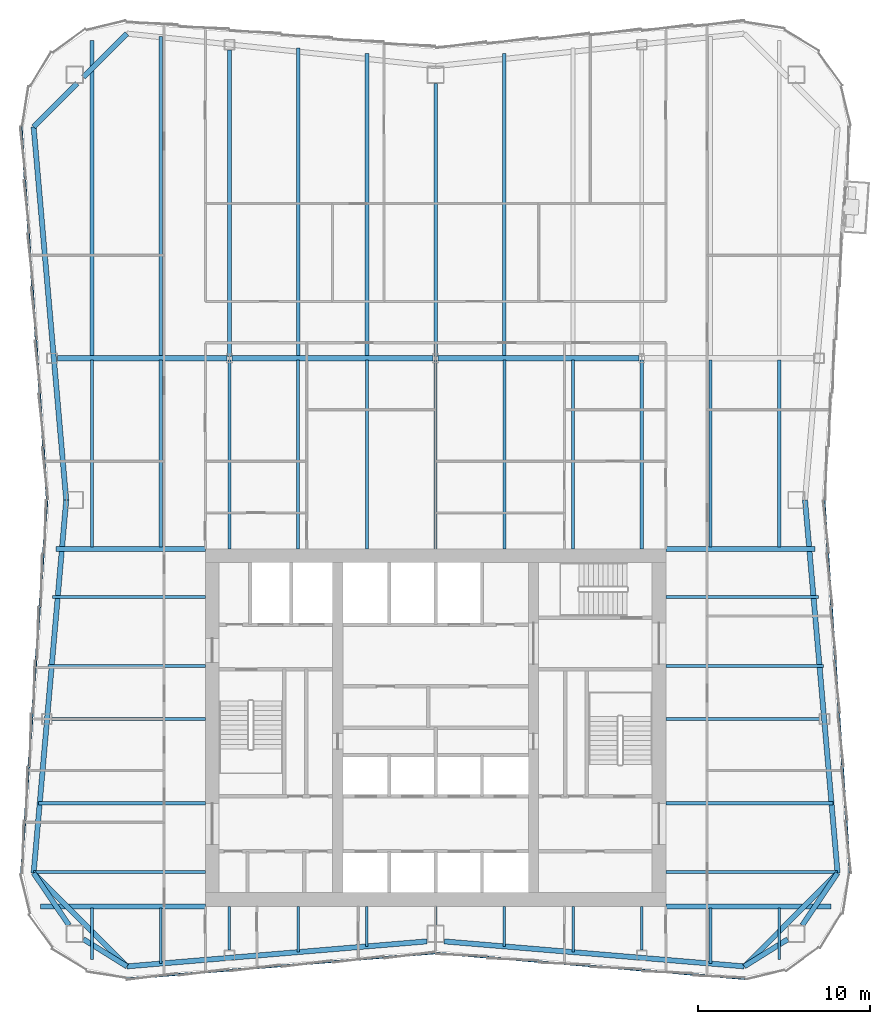
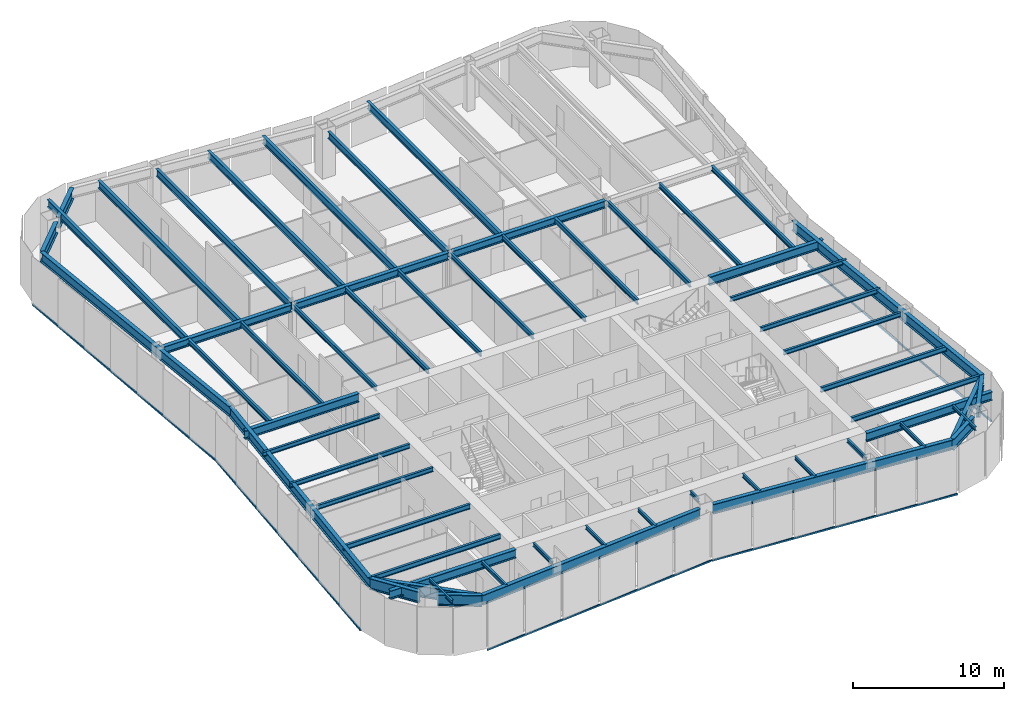
# One storey, part 3 of 12: 59 beams, 5 members, 3 elements without a shape of their own.
"""IFC4 building model written with IfcOpenShell, lengths in metres."""

from ifc_helpers import new_model, si_unit, direction, frame, origin, origin_2d, place, context, subcontext, project, spatial, rectangle, i_section, extrude, material, material_profile, profile_set, type_object, element, aggregate, save


model = new_model("IFC4")

# Units and contexts
model_context = context("Model", 3, precision=1e-05, world=origin(), true_north=direction((0.0, 1.0)))
body_context = subcontext(model_context, "Body", "Model", "MODEL_VIEW")
ifc_project = project(units=[si_unit("LENGTHUNIT", "METRE"), si_unit("AREAUNIT", "SQUARE_METRE"), si_unit("VOLUMEUNIT", "CUBIC_METRE"), si_unit("PLANEANGLEUNIT", "RADIAN"), si_unit("MASSUNIT", "GRAM", prefix="KILO")], contexts=[model_context])

# Site, building, storey
site_placement = place(None, origin())
site = spatial("IfcSite", under=ifc_project, at=site_placement, CompositionType="ELEMENT")
building_placement = place(site_placement, origin())
building = spatial("IfcBuilding", under=site, at=building_placement, Name="Verdant Reach Tower", CompositionType="ELEMENT")
storey_placement = place(building_placement, frame((0.0, 0.0, 278.0)))
storey = spatial("IfcBuildingStorey", under=building, at=storey_placement, Name="L64", CompositionType="ELEMENT", Elevation=278.0)

# Curtain wall, member
ifc_material_1 = material(Name="Anodised aluminium", Category="aluminium")
curtain_wall_type = type_object("IfcCurtainWallType", Name="EN-CW SYSTEM Z4", PredefinedType="NOTDEFINED", material=ifc_material_1)
curtain_wall_1_placement = place(storey_placement, origin())
curtain_wall_1 = element("IfcCurtainWall", 1, at=curtain_wall_1_placement, inside=storey, type_object=curtain_wall_type, Name="Curtain wall east, L64", PredefinedType="NOTDEFINED")
ifc_material_profile_1 = material_profile(ifc_material_1, rectangle(XDim=0.10009765625, YDim=0.1279296875, at=origin_2d()), Name="Transom 128x100")
ifc_profile_set_1 = profile_set([ifc_material_profile_1], Name="Anodised aluminium")
member_type = type_object("IfcMemberType", Name="EN-TRANSOM Z4", PredefinedType="USERDEFINED", material=ifc_profile_set_1)
member_1_placement = place(storey_placement, frame((24.109375, 19.52685546875, -0.285888671875), z_axis=(-0.068770489035, 0.997632507408, 0.0), x_axis=(-0.997632507408, -0.068770489035, 0.0)))
member_1 = element("IfcMember", 2, at=member_1_placement, type_object=member_type, Name="Transom east face part 1 1.1, L64", ObjectType="TRANSOM", PredefinedType="USERDEFINED", context=body_context, shape_type="SweptSolid", body=[
    extrude(rectangle(XDim=0.10009765625, YDim=0.1279296875, at=origin_2d()), origin(), (0.0, 0.0, 1.0), 21.74072265625),
])
aggregate(curtain_wall_1, [member_1])

# Curtain wall, members
curtain_wall_2_placement = place(storey_placement, origin())
curtain_wall_2 = element("IfcCurtainWall", 3, at=curtain_wall_2_placement, inside=storey, type_object=curtain_wall_type, Name="Curtain wall west, L64", PredefinedType="NOTDEFINED")
member_2_placement = place(storey_placement, frame((-24.109375, 62.97314453125, -0.285888671875), z_axis=(0.068770489035, -0.997632507408, 0.0), x_axis=(0.997632507408, 0.068770489035, 0.0)))
member_2 = element("IfcMember", 4, at=member_2_placement, type_object=member_type, Name="Transom west face part 1 1.1, L64", ObjectType="TRANSOM", PredefinedType="USERDEFINED", context=body_context, shape_type="SweptSolid", body=[
    extrude(rectangle(XDim=0.10009765625, YDim=0.1279296875, at=origin_2d()), origin(), (0.0, 0.0, 1.0), 21.74072265625),
])
member_3_placement = place(storey_placement, frame((-22.6142578125, 41.216064453125, -0.285888671875), z_axis=(-0.068770489035, -0.997632507408, 0.0), x_axis=(0.997632507408, -0.068770489035, 0.0)))
member_3 = element("IfcMember", 5, at=member_3_placement, type_object=member_type, Name="Transom west face part 2 1.1, L64", ObjectType="TRANSOM", PredefinedType="USERDEFINED", context=body_context, shape_type="SweptSolid", body=[
    extrude(rectangle(XDim=0.10009765625, YDim=0.1279296875, at=origin_2d()), origin(), (0.0, 0.0, 1.0), 21.74072265625),
])
aggregate(curtain_wall_2, [member_2, member_3])

curtain_wall_3_placement = place(storey_placement, origin())
curtain_wall_3 = element("IfcCurtainWall", 6, at=curtain_wall_3_placement, inside=storey, type_object=curtain_wall_type, Name="Curtain wall south, L64", PredefinedType="NOTDEFINED")
member_4_placement = place(storey_placement, frame((-17.972412109375, 13.39111328125, -0.285888671875), z_axis=(0.996549124771, 0.083005071637, 0.0), x_axis=(-0.083005071637, 0.996549124771, 0.0)))
member_4 = element("IfcMember", 7, at=member_4_placement, type_object=member_type, Name="Transom south face part 1 1.1, L64", ObjectType="TRANSOM", PredefinedType="USERDEFINED", context=body_context, shape_type="SweptSolid", body=[
    extrude(rectangle(XDim=0.10009765625, YDim=0.1279296875, at=origin_2d()), origin(), (0.0, 0.0, 1.0), 18.00048828125),
])
member_5_placement = place(storey_placement, frame((0.033935546875, 14.88525390625, -0.285888671875), z_axis=(0.996549124771, -0.083005071637, 0.0), x_axis=(0.083005071637, 0.996549124771, 0.0)))
member_5 = element("IfcMember", 8, at=member_5_placement, type_object=member_type, Name="Transom south face part 2 1.1, L64", ObjectType="TRANSOM", PredefinedType="USERDEFINED", context=body_context, shape_type="SweptSolid", body=[
    extrude(rectangle(XDim=0.10009765625, YDim=0.1279296875, at=origin_2d()), origin(), (0.0, 0.0, 1.0), 18.00048828125),
])
aggregate(curtain_wall_3, [member_4, member_5])

# Beams
ifc_material_2 = material(Name="Steel S355", Category="steel")
ifc_material_profile_2 = material_profile(ifc_material_2, i_section(OverallWidth=0.300048828125, OverallDepth=0.60009765625, WebThickness=0.015380859375, FlangeThickness=0.030029296875, FilletRadius=0.027099609375, at=origin_2d()), Name="HEB 600")
ifc_profile_set_2 = profile_set([ifc_material_profile_2], Name="Steel S355")
beam_type_1 = type_object("IfcBeamType", Name="ST-BEAM-HEB600", PredefinedType="BEAM", material=ifc_profile_set_2)
beam_1_placement = place(storey_placement, frame((-22.01904296875, 49.5, 3.449951171875), z_axis=(1.0, 0.0, 0.0), x_axis=(0.0, 1.0, 0.0)))
element("IfcBeam", 9, at=beam_1_placement, inside=storey, type_object=beam_type_1, Name="Row girder, L64", PredefinedType="BEAM", context=body_context, shape_type="SweptSolid", body=[
    extrude(i_section(OverallWidth=0.300048828125, OverallDepth=0.60009765625, WebThickness=0.015380859375, FlangeThickness=0.030029296875, FilletRadius=0.027099609375, at=origin_2d()), origin(), (0.0, 0.0, 1.0), 9.865966796875),
])
for number, where, z_axis, x_axis, name in (
    (10, (-11.846923828125, 49.5, 3.449951171875), (1.0, 0.0, 0.0), (0.0, 1.0, 0.0), "Row girder, L64"),
    (11, (0.153076171875, 49.5, 3.449951171875), (1.0, 0.0, 0.0), (0.0, 1.0, 0.0), "Row girder, L64"),
):
    element("IfcBeam", number, at=place(storey_placement, frame(where, z_axis=z_axis, x_axis=x_axis)), inside=storey, type_object=beam_type_1, Name=name, PredefinedType="BEAM", context=body_context, shape_type="SweptSolid", body=[
        extrude(i_section(OverallWidth=0.300048828125, OverallDepth=0.60009765625, WebThickness=0.015380859375, FlangeThickness=0.030029296875, FilletRadius=0.027099609375, at=origin_2d()), origin(), (0.0, 0.0, 1.0), 11.69384765625),
    ])
ifc_material_profile_3 = material_profile(ifc_material_2, i_section(OverallWidth=0.300048828125, OverallDepth=0.699951171875, WebThickness=0.01708984375, FlangeThickness=0.031982421875, FilletRadius=0.027099609375, at=origin_2d()), Name="HEB 700")
ifc_profile_set_3 = profile_set([ifc_material_profile_3], Name="Steel S355")
beam_type_2 = type_object("IfcBeamType", Name="ST-BEAM-HEB700", PredefinedType="BEAM", material=ifc_profile_set_3)
for number, where, z_axis, x_axis, name in (
    (12, (13.39990234375, 38.39990234375, 3.39990234375), (1.0, 0.0, 0.0), (0.0, 1.0, 0.0), "Trimmer beam, L64"),
    (13, (-13.39990234375, 38.39990234375, 3.39990234375), (-1.0, 0.0, 0.0), (0.0, -1.0, 0.0), "Trimmer beam, L64"),
):
    element("IfcBeam", number, at=place(storey_placement, frame(where, z_axis=z_axis, x_axis=x_axis)), inside=storey, type_object=beam_type_2, Name=name, PredefinedType="BEAM", context=body_context, shape_type="SweptSolid", body=[
        extrude(i_section(OverallWidth=0.300048828125, OverallDepth=0.699951171875, WebThickness=0.01708984375, FlangeThickness=0.031982421875, FilletRadius=0.027099609375, at=origin_2d()), origin(), (0.0, 0.0, 1.0), 8.6953125),
    ])
for number, where, z_axis, x_axis, name in (
    (14, (13.39990234375, 17.60009765625, 3.39990234375), (1.0, 0.0, 0.0), (0.0, 1.0, 0.0), "Trimmer beam, L64"),
    (15, (-13.39990234375, 17.60009765625, 3.39990234375), (-1.0, 0.0, 0.0), (0.0, -1.0, 0.0), "Trimmer beam, L64"),
):
    element("IfcBeam", number, at=place(storey_placement, frame(where, z_axis=z_axis, x_axis=x_axis)), inside=storey, type_object=beam_type_2, Name=name, PredefinedType="BEAM", context=body_context, shape_type="SweptSolid", body=[
        extrude(i_section(OverallWidth=0.300048828125, OverallDepth=0.699951171875, WebThickness=0.01708984375, FlangeThickness=0.031982421875, FilletRadius=0.027099609375, at=origin_2d()), origin(), (0.0, 0.0, 1.0), 9.6103515625),
    ])
ifc_material_profile_4 = material_profile(ifc_material_2, i_section(OverallWidth=0.302001953125, OverallDepth=0.909912109375, WebThickness=0.02099609375, FlangeThickness=0.0400390625, FilletRadius=0.030029296875, at=origin_2d()), Name="HEM 900")
ifc_profile_set_4 = profile_set([ifc_material_profile_4], Name="Steel S355")
beam_type_3 = type_object("IfcBeamType", Name="ST-BEAM-HEM900", PredefinedType="BEAM", material=ifc_profile_set_4)
beam_2_placement = place(storey_placement, frame((20.5, 15.687744140625, 3.294921875), z_axis=(-0.848163521635, -0.529734500073, 0.0), x_axis=(0.529734500073, -0.848163521635, 0.0)))
element("IfcBeam", 16, at=beam_2_placement, inside=storey, type_object=beam_type_3, Name="Column stub beam, L64", PredefinedType="BEAM", context=body_context, shape_type="SweptSolid", body=[
    extrude(i_section(OverallWidth=0.302001953125, OverallDepth=0.909912109375, WebThickness=0.02099609375, FlangeThickness=0.0400390625, FilletRadius=0.030029296875, at=origin_2d()), origin(), (0.0, 0.0, 1.0), 2.98779296875),
])
beam_3_placement = place(storey_placement, frame((21.33837890625, 16.5, 3.294921875), z_axis=(0.560703975309, 0.828016335631, 0.0), x_axis=(-0.828016335631, 0.560703975309, 0.0)))
element("IfcBeam", 17, at=beam_3_placement, inside=storey, type_object=beam_type_3, Name="Column stub beam, L64", PredefinedType="BEAM", context=body_context, shape_type="SweptSolid", body=[
    extrude(i_section(OverallWidth=0.302001953125, OverallDepth=0.909912109375, WebThickness=0.02099609375, FlangeThickness=0.0400390625, FilletRadius=0.030029296875, at=origin_2d()), origin(), (0.0, 0.0, 1.0), 3.669677734375),
])
beam_4_placement = place(storey_placement, frame((-20.5, 15.687744140625, 3.294921875), z_axis=(0.848163521635, -0.529734500073, 0.0), x_axis=(0.529734500073, 0.848163521635, 0.0)))
element("IfcBeam", 18, at=beam_4_placement, inside=storey, type_object=beam_type_3, Name="Column stub beam, L64", PredefinedType="BEAM", context=body_context, shape_type="SweptSolid", body=[
    extrude(i_section(OverallWidth=0.302001953125, OverallDepth=0.909912109375, WebThickness=0.02099609375, FlangeThickness=0.0400390625, FilletRadius=0.030029296875, at=origin_2d()), origin(), (0.0, 0.0, 1.0), 2.98779296875),
])
beam_5_placement = place(storey_placement, frame((-21.33837890625, 16.5, 3.294921875), z_axis=(-0.560703975309, 0.828016335631, 0.0), x_axis=(-0.828016335631, -0.560703975309, 0.0)))
element("IfcBeam", 19, at=beam_5_placement, inside=storey, type_object=beam_type_3, Name="Column stub beam, L64", PredefinedType="BEAM", context=body_context, shape_type="SweptSolid", body=[
    extrude(i_section(OverallWidth=0.302001953125, OverallDepth=0.909912109375, WebThickness=0.02099609375, FlangeThickness=0.0400390625, FilletRadius=0.030029296875, at=origin_2d()), origin(), (0.0, 0.0, 1.0), 3.669677734375),
])
ifc_material_profile_5 = material_profile(ifc_material_2, i_section(OverallWidth=0.14990234375, OverallDepth=0.300048828125, WebThickness=0.007080078125, FlangeThickness=0.0107421875, FilletRadius=0.014892578125, at=origin_2d()), Name="IPE 300")
ifc_profile_set_5 = profile_set([ifc_material_profile_5], Name="Steel S355")
beam_type_4 = type_object("IfcBeamType", Name="ST-JOIST-IPE300", PredefinedType="JOIST", material=ifc_profile_set_5)
beam_6_placement = place(storey_placement, frame((-20.0, 17.5, 3.60009765625), z_axis=(0.0, -1.0, 0.0), x_axis=(1.0, 0.0, 0.0)))
element("IfcBeam", 20, at=beam_6_placement, inside=storey, type_object=beam_type_4, Name="Floor joist, L64", PredefinedType="JOIST", context=body_context, shape_type="SweptSolid", body=[
    extrude(i_section(OverallWidth=0.14990234375, OverallDepth=0.300048828125, WebThickness=0.007080078125, FlangeThickness=0.0107421875, FilletRadius=0.014892578125, at=origin_2d()), origin(), (0.0, 0.0, 1.0), 2.990478515625),
])
beam_7_placement = place(storey_placement, frame((-16.0, 17.5, 3.60009765625), z_axis=(0.0, -1.0, 0.0), x_axis=(1.0, 0.0, 0.0)))
element("IfcBeam", 21, at=beam_7_placement, inside=storey, type_object=beam_type_4, Name="Floor joist, L64", PredefinedType="JOIST", context=body_context, shape_type="SweptSolid", body=[
    extrude(i_section(OverallWidth=0.14990234375, OverallDepth=0.300048828125, WebThickness=0.007080078125, FlangeThickness=0.0107421875, FilletRadius=0.014892578125, at=origin_2d()), origin(), (0.0, 0.0, 1.0), 3.231201171875),
])
beam_8_placement = place(storey_placement, frame((-12.0, 17.60009765625, 3.60009765625), z_axis=(0.0, -1.0, 0.0), x_axis=(1.0, 0.0, 0.0)))
element("IfcBeam", 22, at=beam_8_placement, inside=storey, type_object=beam_type_4, Name="Floor joist, L64", PredefinedType="JOIST", context=body_context, shape_type="SweptSolid", body=[
    extrude(i_section(OverallWidth=0.14990234375, OverallDepth=0.300048828125, WebThickness=0.007080078125, FlangeThickness=0.0107421875, FilletRadius=0.014892578125, at=origin_2d()), origin(), (0.0, 0.0, 1.0), 2.550048828125),
])
beam_9_placement = place(storey_placement, frame((-8.0, 17.60009765625, 3.60009765625), z_axis=(0.0, -1.0, 0.0), x_axis=(1.0, 0.0, 0.0)))
element("IfcBeam", 23, at=beam_9_placement, inside=storey, type_object=beam_type_4, Name="Floor joist, L64", PredefinedType="JOIST", context=body_context, shape_type="SweptSolid", body=[
    extrude(i_section(OverallWidth=0.14990234375, OverallDepth=0.300048828125, WebThickness=0.007080078125, FlangeThickness=0.0107421875, FilletRadius=0.014892578125, at=origin_2d()), origin(), (0.0, 0.0, 1.0), 2.664794921875),
])
beam_10_placement = place(storey_placement, frame((-4.0, 17.60009765625, 3.60009765625), z_axis=(0.0, -1.0, 0.0), x_axis=(1.0, 0.0, 0.0)))
element("IfcBeam", 24, at=beam_10_placement, inside=storey, type_object=beam_type_4, Name="Floor joist, L64", PredefinedType="JOIST", context=body_context, shape_type="SweptSolid", body=[
    extrude(i_section(OverallWidth=0.14990234375, OverallDepth=0.300048828125, WebThickness=0.007080078125, FlangeThickness=0.0107421875, FilletRadius=0.014892578125, at=origin_2d()), origin(), (0.0, 0.0, 1.0), 2.331298828125),
])
beam_11_placement = place(storey_placement, frame((0.0, 17.60009765625, 3.60009765625), z_axis=(0.0, -1.0, 0.0), x_axis=(1.0, 0.0, 0.0)))
element("IfcBeam", 25, at=beam_11_placement, inside=storey, type_object=beam_type_4, Name="Floor joist, L64", PredefinedType="JOIST", context=body_context, shape_type="SweptSolid", body=[
    extrude(i_section(OverallWidth=0.14990234375, OverallDepth=0.300048828125, WebThickness=0.007080078125, FlangeThickness=0.0107421875, FilletRadius=0.014892578125, at=origin_2d()), origin(), (0.0, 0.0, 1.0), 1.10009765625),
])
beam_12_placement = place(storey_placement, frame((4.0, 17.60009765625, 3.60009765625), z_axis=(0.0, -1.0, 0.0), x_axis=(1.0, 0.0, 0.0)))
element("IfcBeam", 26, at=beam_12_placement, inside=storey, type_object=beam_type_4, Name="Floor joist, L64", PredefinedType="JOIST", context=body_context, shape_type="SweptSolid", body=[
    extrude(i_section(OverallWidth=0.14990234375, OverallDepth=0.300048828125, WebThickness=0.007080078125, FlangeThickness=0.0107421875, FilletRadius=0.014892578125, at=origin_2d()), origin(), (0.0, 0.0, 1.0), 2.331298828125),
])
beam_13_placement = place(storey_placement, frame((8.0, 17.60009765625, 3.60009765625), z_axis=(0.0, -1.0, 0.0), x_axis=(1.0, 0.0, 0.0)))
element("IfcBeam", 27, at=beam_13_placement, inside=storey, type_object=beam_type_4, Name="Floor joist, L64", PredefinedType="JOIST", context=body_context, shape_type="SweptSolid", body=[
    extrude(i_section(OverallWidth=0.14990234375, OverallDepth=0.300048828125, WebThickness=0.007080078125, FlangeThickness=0.0107421875, FilletRadius=0.014892578125, at=origin_2d()), origin(), (0.0, 0.0, 1.0), 2.664794921875),
])
beam_14_placement = place(storey_placement, frame((12.0, 17.60009765625, 3.60009765625), z_axis=(0.0, -1.0, 0.0), x_axis=(1.0, 0.0, 0.0)))
element("IfcBeam", 28, at=beam_14_placement, inside=storey, type_object=beam_type_4, Name="Floor joist, L64", PredefinedType="JOIST", context=body_context, shape_type="SweptSolid", body=[
    extrude(i_section(OverallWidth=0.14990234375, OverallDepth=0.300048828125, WebThickness=0.007080078125, FlangeThickness=0.0107421875, FilletRadius=0.014892578125, at=origin_2d()), origin(), (0.0, 0.0, 1.0), 2.550048828125),
])
beam_15_placement = place(storey_placement, frame((16.0, 17.5, 3.60009765625), z_axis=(0.0, -1.0, 0.0), x_axis=(1.0, 0.0, 0.0)))
element("IfcBeam", 29, at=beam_15_placement, inside=storey, type_object=beam_type_4, Name="Floor joist, L64", PredefinedType="JOIST", context=body_context, shape_type="SweptSolid", body=[
    extrude(i_section(OverallWidth=0.14990234375, OverallDepth=0.300048828125, WebThickness=0.007080078125, FlangeThickness=0.0107421875, FilletRadius=0.014892578125, at=origin_2d()), origin(), (0.0, 0.0, 1.0), 3.231201171875),
])
beam_16_placement = place(storey_placement, frame((20.0, 17.5, 3.60009765625), z_axis=(0.0, -1.0, 0.0), x_axis=(1.0, 0.0, 0.0)))
element("IfcBeam", 30, at=beam_16_placement, inside=storey, type_object=beam_type_4, Name="Floor joist, L64", PredefinedType="JOIST", context=body_context, shape_type="SweptSolid", body=[
    extrude(i_section(OverallWidth=0.14990234375, OverallDepth=0.300048828125, WebThickness=0.007080078125, FlangeThickness=0.0107421875, FilletRadius=0.014892578125, at=origin_2d()), origin(), (0.0, 0.0, 1.0), 2.990478515625),
])
ifc_material_profile_6 = material_profile(ifc_material_2, i_section(OverallWidth=0.169921875, OverallDepth=0.360107421875, WebThickness=0.008056640625, FlangeThickness=0.0126953125, FilletRadius=0.01806640625, at=origin_2d()), Name="IPE 360")
ifc_profile_set_6 = profile_set([ifc_material_profile_6], Name="Steel S355")
beam_type_5 = type_object("IfcBeamType", Name="ST-JOIST-IPE360", PredefinedType="JOIST", material=ifc_profile_set_6)
for number, where, z_axis, x_axis, name in (
    (31, (13.39990234375, 28.5, 3.570068359375), (1.0, 0.0, 0.0), (0.0, 1.0, 0.0), "Floor joist, L64"),
    (32, (-13.39990234375, 28.5, 3.570068359375), (-1.0, 0.0, 0.0), (0.0, -1.0, 0.0), "Floor joist, L64"),
):
    element("IfcBeam", number, at=place(storey_placement, frame(where, z_axis=z_axis, x_axis=x_axis)), inside=storey, type_object=beam_type_5, Name=name, PredefinedType="JOIST", context=body_context, shape_type="SweptSolid", body=[
        extrude(i_section(OverallWidth=0.169921875, OverallDepth=0.360107421875, WebThickness=0.008056640625, FlangeThickness=0.0126953125, FilletRadius=0.01806640625, at=origin_2d()), origin(), (0.0, 0.0, 1.0), 8.929443359375),
    ])
for number, where, z_axis, x_axis, name in (
    (33, (13.39990234375, 31.60009765625, 3.570068359375), (1.0, 0.0, 0.0), (0.0, 1.0, 0.0), "Floor joist, L64"),
    (34, (-13.39990234375, 31.60009765625, 3.570068359375), (-1.0, 0.0, 0.0), (0.0, -1.0, 0.0), "Floor joist, L64"),
):
    element("IfcBeam", number, at=place(storey_placement, frame(where, z_axis=z_axis, x_axis=x_axis)), inside=storey, type_object=beam_type_5, Name=name, PredefinedType="JOIST", context=body_context, shape_type="SweptSolid", body=[
        extrude(i_section(OverallWidth=0.169921875, OverallDepth=0.360107421875, WebThickness=0.008056640625, FlangeThickness=0.0126953125, FilletRadius=0.01806640625, at=origin_2d()), origin(), (0.0, 0.0, 1.0), 9.164306640625),
    ])
for number, where, z_axis, x_axis, name in (
    (35, (13.39990234375, 35.60009765625, 3.570068359375), (1.0, 0.0, 0.0), (0.0, 1.0, 0.0), "Floor joist, L64"),
    (36, (-13.39990234375, 35.60009765625, 3.570068359375), (-1.0, 0.0, 0.0), (0.0, -1.0, 0.0), "Floor joist, L64"),
):
    element("IfcBeam", number, at=place(storey_placement, frame(where, z_axis=z_axis, x_axis=x_axis)), inside=storey, type_object=beam_type_5, Name=name, PredefinedType="JOIST", context=body_context, shape_type="SweptSolid", body=[
        extrude(i_section(OverallWidth=0.169921875, OverallDepth=0.360107421875, WebThickness=0.008056640625, FlangeThickness=0.0126953125, FilletRadius=0.01806640625, at=origin_2d()), origin(), (0.0, 0.0, 1.0), 8.88818359375),
    ])
ifc_material_profile_7 = material_profile(ifc_material_2, i_section(OverallWidth=0.179931640625, OverallDepth=0.39990234375, WebThickness=0.008544921875, FlangeThickness=0.013427734375, FilletRadius=0.02099609375, at=origin_2d()), Name="IPE 400")
ifc_profile_set_7 = profile_set([ifc_material_profile_7], Name="Steel S355")
beam_type_6 = type_object("IfcBeamType", Name="ST-JOIST-IPE400", PredefinedType="JOIST", material=ifc_profile_set_7)
for number, where, z_axis, x_axis, name in (
    (37, (-20.0, 38.5, 3.550048828125), (0.0, 1.0, 0.0), (-1.0, 0.0, 0.0), "Floor joist, L64"),
    (38, (-16.0, 38.5, 3.550048828125), (0.0, 1.0, 0.0), (-1.0, 0.0, 0.0), "Floor joist, L64"),
):
    element("IfcBeam", number, at=place(storey_placement, frame(where, z_axis=z_axis, x_axis=x_axis)), inside=storey, type_object=beam_type_6, Name=name, PredefinedType="JOIST", context=body_context, shape_type="SweptSolid", body=[
        extrude(i_section(OverallWidth=0.179931640625, OverallDepth=0.39990234375, WebThickness=0.008544921875, FlangeThickness=0.013427734375, FilletRadius=0.02099609375, at=origin_2d()), origin(), (0.0, 0.0, 1.0), 10.89990234375),
    ])
for number, where, z_axis, x_axis, name in (
    (39, (-12.0, 38.39990234375, 3.550048828125), (0.0, 1.0, 0.0), (-1.0, 0.0, 0.0), "Floor joist, L64"),
    (40, (-8.0, 38.39990234375, 3.550048828125), (0.0, 1.0, 0.0), (-1.0, 0.0, 0.0), "Floor joist, L64"),
    (41, (-4.0, 38.39990234375, 3.550048828125), (0.0, 1.0, 0.0), (-1.0, 0.0, 0.0), "Floor joist, L64"),
    (42, (0.0, 38.39990234375, 3.550048828125), (0.0, 1.0, 0.0), (-1.0, 0.0, 0.0), "Floor joist, L64"),
    (43, (4.0, 38.39990234375, 3.550048828125), (0.0, 1.0, 0.0), (-1.0, 0.0, 0.0), "Floor joist, L64"),
    (44, (8.0, 38.39990234375, 3.550048828125), (0.0, 1.0, 0.0), (-1.0, 0.0, 0.0), "Floor joist, L64"),
    (45, (12.0, 38.39990234375, 3.550048828125), (0.0, 1.0, 0.0), (-1.0, 0.0, 0.0), "Floor joist, L64"),
):
    element("IfcBeam", number, at=place(storey_placement, frame(where, z_axis=z_axis, x_axis=x_axis)), inside=storey, type_object=beam_type_6, Name=name, PredefinedType="JOIST", context=body_context, shape_type="SweptSolid", body=[
        extrude(i_section(OverallWidth=0.179931640625, OverallDepth=0.39990234375, WebThickness=0.008544921875, FlangeThickness=0.013427734375, FilletRadius=0.02099609375, at=origin_2d()), origin(), (0.0, 0.0, 1.0), 11.0),
    ])
for number, where, z_axis, x_axis, name in (
    (46, (16.0, 38.5, 3.550048828125), (0.0, 1.0, 0.0), (-1.0, 0.0, 0.0), "Floor joist, L64"),
    (47, (20.0, 38.5, 3.550048828125), (0.0, 1.0, 0.0), (-1.0, 0.0, 0.0), "Floor joist, L64"),
):
    element("IfcBeam", number, at=place(storey_placement, frame(where, z_axis=z_axis, x_axis=x_axis)), inside=storey, type_object=beam_type_6, Name=name, PredefinedType="JOIST", context=body_context, shape_type="SweptSolid", body=[
        extrude(i_section(OverallWidth=0.179931640625, OverallDepth=0.39990234375, WebThickness=0.008544921875, FlangeThickness=0.013427734375, FilletRadius=0.02099609375, at=origin_2d()), origin(), (0.0, 0.0, 1.0), 10.89990234375),
    ])
for number, where, z_axis, x_axis, name in (
    (48, (13.39990234375, 19.60009765625, 3.550048828125), (1.0, 0.0, 0.0), (0.0, 1.0, 0.0), "Floor joist, L64"),
    (49, (-13.39990234375, 19.60009765625, 3.550048828125), (-1.0, 0.0, 0.0), (0.0, -1.0, 0.0), "Floor joist, L64"),
):
    element("IfcBeam", number, at=place(storey_placement, frame(where, z_axis=z_axis, x_axis=x_axis)), inside=storey, type_object=beam_type_6, Name=name, PredefinedType="JOIST", context=body_context, shape_type="SweptSolid", body=[
        extrude(i_section(OverallWidth=0.179931640625, OverallDepth=0.39990234375, WebThickness=0.008544921875, FlangeThickness=0.013427734375, FilletRadius=0.02099609375, at=origin_2d()), origin(), (0.0, 0.0, 1.0), 9.99169921875),
    ])
for number, where, z_axis, x_axis, name in (
    (50, (13.39990234375, 23.60009765625, 3.550048828125), (1.0, 0.0, 0.0), (0.0, 1.0, 0.0), "Floor joist, L64"),
    (51, (-13.39990234375, 23.60009765625, 3.550048828125), (-1.0, 0.0, 0.0), (0.0, -1.0, 0.0), "Floor joist, L64"),
):
    element("IfcBeam", number, at=place(storey_placement, frame(where, z_axis=z_axis, x_axis=x_axis)), inside=storey, type_object=beam_type_6, Name=name, PredefinedType="JOIST", context=body_context, shape_type="SweptSolid", body=[
        extrude(i_section(OverallWidth=0.179931640625, OverallDepth=0.39990234375, WebThickness=0.008544921875, FlangeThickness=0.013427734375, FilletRadius=0.02099609375, at=origin_2d()), origin(), (0.0, 0.0, 1.0), 9.7158203125),
    ])
ifc_material_profile_8 = material_profile(ifc_material_2, i_section(OverallWidth=0.2099609375, OverallDepth=0.550048828125, WebThickness=0.010986328125, FlangeThickness=0.01708984375, FilletRadius=0.02392578125, at=origin_2d()), Name="IPE 550")
ifc_profile_set_8 = profile_set([ifc_material_profile_8], Name="Steel S355")
beam_type_7 = type_object("IfcBeamType", Name="ST-JOIST-IPE550", PredefinedType="JOIST", material=ifc_profile_set_8)
beam_17_placement = place(storey_placement, frame((0.0, 49.60009765625, 3.47509765625), z_axis=(0.0, 1.0, 0.0), x_axis=(-1.0, 0.0, 0.0)))
element("IfcBeam", 52, at=beam_17_placement, inside=storey, type_object=beam_type_7, Name="Floor joist, L64", PredefinedType="JOIST", context=body_context, shape_type="SweptSolid", body=[
    extrude(i_section(OverallWidth=0.2099609375, OverallDepth=0.550048828125, WebThickness=0.010986328125, FlangeThickness=0.01708984375, FilletRadius=0.02392578125, at=origin_2d()), origin(), (0.0, 0.0, 1.0), 15.89990234375),
])
ifc_material_profile_9 = material_profile(ifc_material_2, i_section(OverallWidth=0.219970703125, OverallDepth=0.60009765625, WebThickness=0.011962890625, FlangeThickness=0.01904296875, FilletRadius=0.02392578125, at=origin_2d()), Name="IPE 600")
ifc_profile_set_9 = profile_set([ifc_material_profile_9], Name="Steel S355")
beam_type_8 = type_object("IfcBeamType", Name="ST-JOIST-IPE600", PredefinedType="JOIST", material=ifc_profile_set_9)
beam_18_placement = place(storey_placement, frame((-20.0, 49.60009765625, 3.449951171875), z_axis=(0.0, 1.0, 0.0), x_axis=(-1.0, 0.0, 0.0)))
element("IfcBeam", 53, at=beam_18_placement, inside=storey, type_object=beam_type_8, Name="Floor joist, L64", PredefinedType="JOIST", context=body_context, shape_type="SweptSolid", body=[
    extrude(i_section(OverallWidth=0.219970703125, OverallDepth=0.60009765625, WebThickness=0.011962890625, FlangeThickness=0.01904296875, FilletRadius=0.02392578125, at=origin_2d()), origin(), (0.0, 0.0, 1.0), 18.390380859375),
])
beam_19_placement = place(storey_placement, frame((-16.0, 49.60009765625, 3.449951171875), z_axis=(0.0, 1.0, 0.0), x_axis=(-1.0, 0.0, 0.0)))
element("IfcBeam", 54, at=beam_19_placement, inside=storey, type_object=beam_type_8, Name="Floor joist, L64", PredefinedType="JOIST", context=body_context, shape_type="SweptSolid", body=[
    extrude(i_section(OverallWidth=0.219970703125, OverallDepth=0.60009765625, WebThickness=0.011962890625, FlangeThickness=0.01904296875, FilletRadius=0.02392578125, at=origin_2d()), origin(), (0.0, 0.0, 1.0), 18.631103515625),
])
beam_20_placement = place(storey_placement, frame((-12.0, 49.60009765625, 3.449951171875), z_axis=(0.0, 1.0, 0.0), x_axis=(-1.0, 0.0, 0.0)))
element("IfcBeam", 55, at=beam_20_placement, inside=storey, type_object=beam_type_8, Name="Floor joist, L64", PredefinedType="JOIST", context=body_context, shape_type="SweptSolid", body=[
    extrude(i_section(OverallWidth=0.219970703125, OverallDepth=0.60009765625, WebThickness=0.011962890625, FlangeThickness=0.01904296875, FilletRadius=0.02392578125, at=origin_2d()), origin(), (0.0, 0.0, 1.0), 17.849853515625),
])
beam_21_placement = place(storey_placement, frame((-8.0, 49.60009765625, 3.449951171875), z_axis=(0.0, 1.0, 0.0), x_axis=(-1.0, 0.0, 0.0)))
element("IfcBeam", 56, at=beam_21_placement, inside=storey, type_object=beam_type_8, Name="Floor joist, L64", PredefinedType="JOIST", context=body_context, shape_type="SweptSolid", body=[
    extrude(i_section(OverallWidth=0.219970703125, OverallDepth=0.60009765625, WebThickness=0.011962890625, FlangeThickness=0.01904296875, FilletRadius=0.02392578125, at=origin_2d()), origin(), (0.0, 0.0, 1.0), 17.964599609375),
])
for number, where, z_axis, x_axis, name in (
    (57, (-4.0, 49.60009765625, 3.449951171875), (0.0, 1.0, 0.0), (-1.0, 0.0, 0.0), "Floor joist, L64"),
    (58, (4.0, 49.60009765625, 3.449951171875), (0.0, 1.0, 0.0), (-1.0, 0.0, 0.0), "Floor joist, L64"),
):
    element("IfcBeam", number, at=place(storey_placement, frame(where, z_axis=z_axis, x_axis=x_axis)), inside=storey, type_object=beam_type_8, Name=name, PredefinedType="JOIST", context=body_context, shape_type="SweptSolid", body=[
        extrude(i_section(OverallWidth=0.219970703125, OverallDepth=0.60009765625, WebThickness=0.011962890625, FlangeThickness=0.01904296875, FilletRadius=0.02392578125, at=origin_2d()), origin(), (0.0, 0.0, 1.0), 17.631103515625),
    ])
ifc_material_profile_10 = material_profile(ifc_material_2, i_section(OverallWidth=0.300048828125, OverallDepth=0.800048828125, WebThickness=0.017578125, FlangeThickness=0.032958984375, FilletRadius=0.030029296875, at=origin_2d()), Name="HEB 800")
ifc_profile_set_10 = profile_set([ifc_material_profile_10], Name="Steel S355")
beam_type_9 = type_object("IfcBeamType", Name="ST-SPANDREL-HEB800", PredefinedType="SPANDREL", material=ifc_profile_set_10)
for number, where, z_axis, x_axis, name in (
    (59, (17.9658203125, 14.10498046875, 3.35009765625), (-0.99654652675, 0.083036257282, 0.0), (-0.083036257282, -0.99654652675, 0.0), "Edge beam, L64"),
    (60, (-0.5, 15.560302734375, 3.35009765625), (-0.99654652675, -0.083036257282, 0.0), (0.083036257282, -0.99654652675, 0.0), "Edge beam, L64"),
):
    element("IfcBeam", number, at=place(storey_placement, frame(where, z_axis=z_axis, x_axis=x_axis)), inside=storey, type_object=beam_type_9, Name=name, PredefinedType="SPANDREL", context=body_context, shape_type="SweptSolid", body=[
        extrude(i_section(OverallWidth=0.300048828125, OverallDepth=0.800048828125, WebThickness=0.017578125, FlangeThickness=0.032958984375, FilletRadius=0.030029296875, at=origin_2d()), origin(), (0.0, 0.0, 1.0), 17.5263671875),
    ])
for number, where, z_axis, x_axis, name in (
    (61, (-23.39599609375, 19.53857421875, 3.35009765625), (0.086996024331, 0.996208658741, 0.0), (-0.996208658741, 0.086996024331, 0.0), "Edge beam, L64"),
    (62, (-21.5, 41.25, 3.35009765625), (-0.086996024331, 0.996208658741, 0.0), (-0.996208658741, -0.086996024331, 0.0), "Edge beam, L64"),
    (63, (21.5, 41.25, 3.35009765625), (0.086996024331, -0.996208658741, 0.0), (0.996208658741, 0.086996024331, 0.0), "Edge beam, L64"),
):
    element("IfcBeam", number, at=place(storey_placement, frame(where, z_axis=z_axis, x_axis=x_axis)), inside=storey, type_object=beam_type_9, Name=name, PredefinedType="SPANDREL", context=body_context, shape_type="SweptSolid", body=[
        extrude(i_section(OverallWidth=0.300048828125, OverallDepth=0.800048828125, WebThickness=0.017578125, FlangeThickness=0.032958984375, FilletRadius=0.030029296875, at=origin_2d()), origin(), (0.0, 0.0, 1.0), 21.7939453125),
    ])
ifc_material_profile_11 = material_profile(ifc_material_2, i_section(OverallWidth=0.302001953125, OverallDepth=0.909912109375, WebThickness=0.02099609375, FlangeThickness=0.0400390625, FilletRadius=0.030029296875, at=origin_2d()), Name="HEM 900")
ifc_profile_set_11 = profile_set([ifc_material_profile_11], Name="Steel S355")
beam_type_10 = type_object("IfcBeamType", Name="ST-SPANDREL-HEM900", PredefinedType="SPANDREL", material=ifc_profile_set_11)
beam_22_placement = place(storey_placement, frame((-17.9658203125, 14.10498046875, 3.294921875), z_axis=(-0.706884275642, 0.707329216738, 0.0), x_axis=(-0.707329216738, -0.706884275642, 0.0)))
element("IfcBeam", 64, at=beam_22_placement, inside=storey, type_object=beam_type_10, Name="Edge beam, L64", PredefinedType="SPANDREL", context=body_context, shape_type="SweptSolid", body=[
    extrude(i_section(OverallWidth=0.302001953125, OverallDepth=0.909912109375, WebThickness=0.02099609375, FlangeThickness=0.0400390625, FilletRadius=0.030029296875, at=origin_2d()), origin(), (0.0, 0.0, 1.0), 7.681884765625),
])
beam_23_placement = place(storey_placement, frame((-23.39599609375, 62.96142578125, 3.294921875), z_axis=(0.706902680526, 0.707310822952, 0.0), x_axis=(-0.707310822952, 0.706902680526, 0.0)))
element("IfcBeam", 65, at=beam_23_placement, inside=storey, type_object=beam_type_10, Name="Edge beam, L64", PredefinedType="SPANDREL", context=body_context, shape_type="SweptSolid", body=[
    extrude(i_section(OverallWidth=0.302001953125, OverallDepth=0.909912109375, WebThickness=0.02099609375, FlangeThickness=0.0400390625, FilletRadius=0.030029296875, at=origin_2d()), origin(), (0.0, 0.0, 1.0), 3.589111328125),
])
beam_24_placement = place(storey_placement, frame((-20.5, 65.859130859375, 3.294921875), z_axis=(0.706868394255, 0.707345087777, 0.0), x_axis=(-0.707345087777, 0.706868394255, 0.0)))
element("IfcBeam", 66, at=beam_24_placement, inside=storey, type_object=beam_type_10, Name="Edge beam, L64", PredefinedType="SPANDREL", context=body_context, shape_type="SweptSolid", body=[
    extrude(i_section(OverallWidth=0.302001953125, OverallDepth=0.909912109375, WebThickness=0.02099609375, FlangeThickness=0.0400390625, FilletRadius=0.030029296875, at=origin_2d()), origin(), (0.0, 0.0, 1.0), 3.5849609375),
])
beam_25_placement = place(storey_placement, frame((23.39599609375, 19.53857421875, 3.294921875), z_axis=(-0.706884275642, -0.707329216738, 0.0), x_axis=(0.707329216738, -0.706884275642, 0.0)))
element("IfcBeam", 67, at=beam_25_placement, inside=storey, type_object=beam_type_10, Name="Edge beam, L64", PredefinedType="SPANDREL", context=body_context, shape_type="SweptSolid", body=[
    extrude(i_section(OverallWidth=0.302001953125, OverallDepth=0.909912109375, WebThickness=0.02099609375, FlangeThickness=0.0400390625, FilletRadius=0.030029296875, at=origin_2d()), origin(), (0.0, 0.0, 1.0), 7.681884765625),
])

save(model, "model.ifc")
